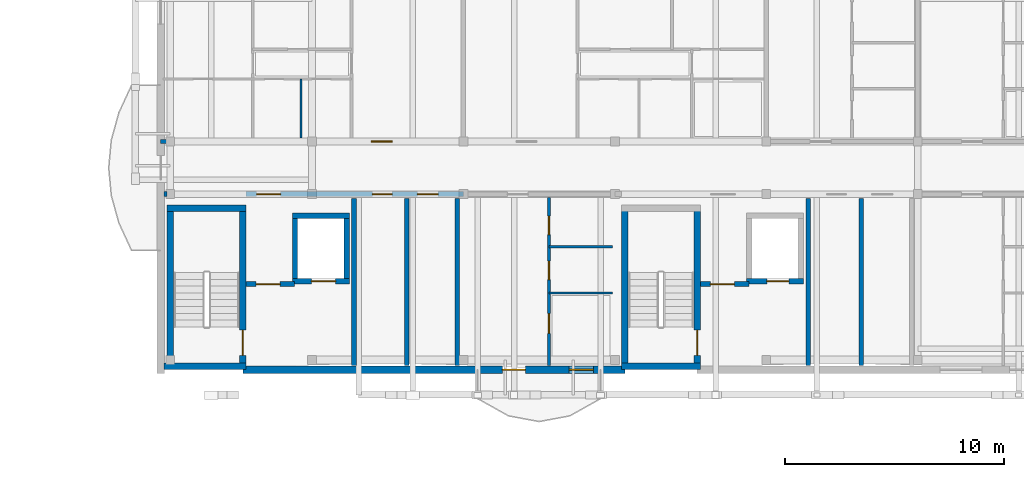
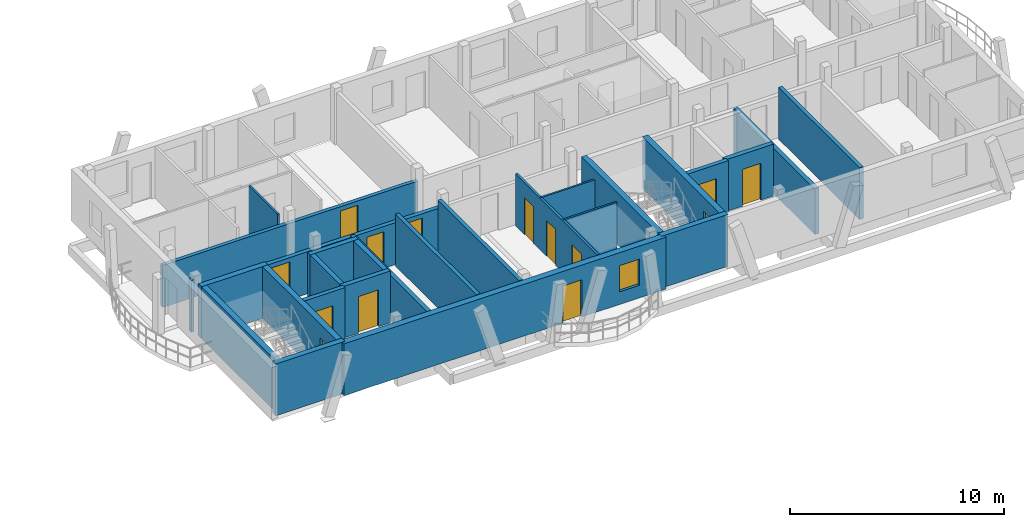
# One storey, part 28 of 41: 27 walls, 14 doors, 1 window, 15 openings.
"""IFC4 building model written with IfcOpenShell, lengths in metres."""

from ifc_helpers import new_model, si_unit, direction, frame, frame_2d, origin, origin_with_axes, place, context, subcontext, project, spatial, rectangle, extrude, material, layer, layer_set, type_object, element, fill, save


model = new_model("IFC4")

# Units and contexts
model_context = context("Model", 3, precision=1e-05, world=origin(), true_north=direction((0.0, 1.0)))
body_context = subcontext(model_context, "Body", "Model", "MODEL_VIEW")
ifc_project = project(units=[si_unit("LENGTHUNIT", "METRE"), si_unit("AREAUNIT", "SQUARE_METRE"), si_unit("VOLUMEUNIT", "CUBIC_METRE"), si_unit("PLANEANGLEUNIT", "RADIAN"), si_unit("MASSUNIT", "GRAM", prefix="KILO")], contexts=[model_context])

# Site, building, storey
site_placement = place(None, origin())
site = spatial("IfcSite", under=ifc_project, at=site_placement, CompositionType="ELEMENT")
building_placement = place(site_placement, origin())
building = spatial("IfcBuilding", under=site, at=building_placement, Name="Zavelmont Quarter", CompositionType="ELEMENT")
storey_placement = place(building_placement, frame((0.0, 0.0, 27.199951171875)))
storey = spatial("IfcBuildingStorey", under=building, at=storey_placement, Name="L08", CompositionType="ELEMENT", Elevation=27.199951171875)

# Wall, openings, door, window
ifc_material_1 = material(Name="Natural Belgian limestone", Category="masonry")
ifc_layer_1 = layer(ifc_material_1, 0.340087890625)
ifc_layer_set_1 = layer_set([ifc_layer_1], Name="Natural Belgian limestone")
wall_type_1 = type_object("IfcWallType", Name="EW03", PredefinedType="STANDARD", material=ifc_layer_set_1)
wall_1_placement = place(storey_placement, frame((130.35009765625, 97.60009765625, 0.0), z_axis=(0.0, 0.0, 1.0), x_axis=(1.0, 0.0, 0.0)))
wall_1 = element("IfcWall", 1, at=wall_1_placement, inside=storey, type_object=wall_type_1, Name="L08 exterior limestone wall EW03", PredefinedType="STANDARD", context=body_context, shape_type="SweptSolid", body=[
    extrude(rectangle(XDim=17.39990234375, YDim=0.340087890625, at=frame_2d((8.699951171875, 0.0))), origin(), (0.0, 0.0, 1.0), 2.9599609375),
])
opening_1_placement = place(wall_1_placement, frame((11.820068359375, 0.0, 0.0)))
opening_1 = element("IfcOpeningElement", 2, at=opening_1_placement, cuts=wall_1, Name="Opening DR04A", PredefinedType="OPENING", context=body_context, shape_type="SweptSolid", body=[
    extrude(rectangle(XDim=1.050048828125, YDim=2.1201171875, at=frame_2d((0.52490234375, 1.06005859375))), frame((0.0, 0.18212890625, 0.0), z_axis=(0.0, -1.0, 0.0), x_axis=(1.0, 0.0, 0.0)), (0.0, 0.0, 1.0), 0.364013671875),
])
opening_2_placement = place(wall_1_placement, frame((14.8701171875, 0.0, 0.719970703125)))
opening_2 = element("IfcOpeningElement", 3, at=opening_2_placement, cuts=wall_1, Name="Opening WN09", PredefinedType="OPENING", context=body_context, shape_type="SweptSolid", body=[
    extrude(rectangle(XDim=1.10009765625, YDim=1.5, at=frame_2d((0.550048828125, 0.75))), frame((0.0, 0.18212890625, 0.0), z_axis=(0.0, -1.0, 0.0), x_axis=(1.0, 0.0, 0.0)), (0.0, 0.0, 1.0), 0.364013671875),
])
ifc_material_2 = material(Name="Thermally broken aluminium and double safety glass", Category="aluminium")
door_type_1 = type_object("IfcDoorType", Name="DR04A", OperationType="NOTDEFINED", PredefinedType="DOOR", material=ifc_material_2)
door_1_placement = place(opening_1_placement, origin_with_axes())
door_1 = element("IfcDoor", 4, at=door_1_placement, inside=storey, type_object=door_type_1, Name="Block C L08 glazed balcony door", OperationType="SINGLE_SWING_RIGHT", OverallHeight=2.1201171875, OverallWidth=1.050048828125, PredefinedType="DOOR", context=body_context, shape_type="SweptSolid", body=[
    extrude(rectangle(XDim=1.050048828125, YDim=2.1201171875, at=frame_2d((0.52490234375, 1.06005859375))), frame((0.0, 0.02490234375, 0.0), z_axis=(0.0, -1.0, 0.0), x_axis=(1.0, 0.0, 0.0)), (0.0, 0.0, 1.0), 0.050048828125),
])
fill(opening_1, door_1)
ifc_material_3 = material(Name="Double low-E insulated glazing in thermally broken aluminium frame", Category="aluminium")
window_type = type_object("IfcWindowType", Name="WN09", PartitioningType="SINGLE_PANEL", PredefinedType="WINDOW", material=ifc_material_3)
window_placement = place(opening_2_placement, origin_with_axes())
window = element("IfcWindow", 5, at=window_placement, inside=storey, type_object=window_type, Name="L08 window WN09", OverallHeight=1.5, OverallWidth=1.10009765625, PartitioningType="SINGLE_PANEL", PredefinedType="WINDOW", context=body_context, shape_type="SweptSolid", body=[
    extrude(rectangle(XDim=1.10009765625, YDim=1.5, at=frame_2d((0.550048828125, 0.75))), frame((0.0, 0.030029296875, 0.0), z_axis=(0.0, -1.0, 0.0), x_axis=(1.0, 0.0, 0.0)), (0.0, 0.0, 1.0), 0.06005859375),
])
fill(opening_2, window)

# Walls
ifc_material_4 = material(Name="Calcium-silicate blockwork and acoustic plaster", Category="masonry")
ifc_layer_2 = layer(ifc_material_4, 0.199951171875)
ifc_layer_set_2 = layer_set([ifc_layer_2], Name="Calcium-silicate blockwork and acoustic plaster")
wall_type_2 = type_object("IfcWallType", Name="IW01", PredefinedType="PARTITIONING", material=ifc_layer_set_2)
for number, where, z_axis, x_axis, name in (
    (6, (137.824951171875, 97.800048828125, 0.0), (0.0, 0.0, 1.0), (0.0, 1.0, 0.0), "L08 Service riser divider wall IW01"),
    (7, (140.1201171875, 97.800048828125, 0.0), (0.0, 0.0, 1.0), (0.0, 1.0, 0.0), "L08 Core service end wall IW01"),
    (8, (158.52490234375, 97.800048828125, 0.0), (0.0, 0.0, 1.0), (0.0, 1.0, 0.0), "L08 Service riser divider wall IW01"),
):
    element("IfcWall", number, at=place(storey_placement, frame(where, z_axis=z_axis, x_axis=x_axis)), inside=storey, type_object=wall_type_2, Name=name, PredefinedType="PARTITIONING", context=body_context, shape_type="SweptSolid", body=[
        extrude(rectangle(XDim=7.599853515625, YDim=0.199951171875, at=frame_2d((3.7998046875, 0.0))), origin(), (0.0, 0.0, 1.0), 2.9599609375),
    ])

# Wall, opening, door
wall_2_placement = place(storey_placement, frame((126.60009765625, 108.0, 0.0), z_axis=(0.0, 0.0, 1.0), x_axis=(1.0, 0.0, 0.0)))
wall_2 = element("IfcWall", 9, at=wall_2_placement, inside=storey, type_object=wall_type_2, Name="L08 Corridor compartment wall IW01", PredefinedType="PARTITIONING", context=body_context, shape_type="SweptSolid", body=[
    extrude(rectangle(XDim=13.7998046875, YDim=0.199951171875, at=frame_2d((6.89990234375, 0.0))), origin(), (0.0, 0.0, 1.0), 2.400146484375),
])
opening_3_placement = place(wall_2_placement, frame((9.60009765625, 0.0, 0.0)))
opening_3 = element("IfcOpeningElement", 10, at=opening_3_placement, cuts=wall_2, Name="Opening DR02", PredefinedType="OPENING", context=body_context, shape_type="SweptSolid", body=[
    extrude(rectangle(XDim=0.949951171875, YDim=2.14990234375, at=frame_2d((0.47509765625, 1.074951171875))), frame((0.0, 0.11181640625, 0.0), z_axis=(0.0, -1.0, 0.0), x_axis=(1.0, 0.0, 0.0)), (0.0, 0.0, 1.0), 0.223876953125),
])
ifc_material_5 = material(Name="Solid-core oak fire leaf in steel frame", Category="steel")
door_type_2 = type_object("IfcDoorType", Name="DR02", OperationType="NOTDEFINED", PredefinedType="DOOR", material=ifc_material_5)
door_2_placement = place(opening_3_placement, origin_with_axes())
door_2 = element("IfcDoor", 11, at=door_2_placement, inside=storey, type_object=door_type_2, Name="L08 door DR02", OperationType="SINGLE_SWING_LEFT", OverallHeight=2.14990234375, OverallWidth=0.949951171875, PredefinedType="DOOR", context=body_context, shape_type="SweptSolid", body=[
    extrude(rectangle(XDim=0.949951171875, YDim=2.14990234375, at=frame_2d((0.47509765625, 1.074951171875))), frame((0.0, 0.02490234375, 0.0), z_axis=(0.0, -1.0, 0.0), x_axis=(1.0, 0.0, 0.0)), (0.0, 0.0, 1.0), 0.050048828125),
])
fill(opening_3, door_2)

# Wall
ifc_material_6 = material(Name="Reinforced masonry fire compartment wall", Category="masonry")
ifc_layer_3 = layer(ifc_material_6, 0.22509765625)
ifc_layer_set_3 = layer_set([ifc_layer_3], Name="Reinforced masonry fire compartment wall")
wall_type_3 = type_object("IfcWallType", Name="IW02", PredefinedType="PARTITIONING", material=ifc_layer_set_3)
wall_3_placement = place(storey_placement, frame((135.409912109375, 97.800048828125, 0.0), z_axis=(0.0, 0.0, 1.0), x_axis=(0.0, 1.0, 0.0)))
element("IfcWall", 12, at=wall_3_placement, inside=storey, type_object=wall_type_3, Name="L08 Firefighting lobby enclosure wall IW02", PredefinedType="PARTITIONING", context=body_context, shape_type="SweptSolid", body=[
    extrude(rectangle(XDim=7.599853515625, YDim=0.22509765625, at=frame_2d((3.7998046875, 0.0))), origin(), (0.0, 0.0, 1.0), 2.590087890625),
])

# Wall, opening, door
wall_4_placement = place(storey_placement, frame((130.5, 101.5, 0.0), z_axis=(0.0, 0.0, 1.0), x_axis=(1.0, 0.0, 0.0)))
wall_4 = element("IfcWall", 13, at=wall_4_placement, inside=storey, type_object=wall_type_3, Name="L08 Firefighting lobby threshold wall IW02", PredefinedType="PARTITIONING", context=body_context, shape_type="SweptSolid", body=[
    extrude(rectangle(XDim=2.199951171875, YDim=0.22509765625, at=frame_2d((1.10009765625, 0.0))), origin(), (0.0, 0.0, 1.0), 2.9599609375),
])
opening_4_placement = place(wall_4_placement, frame((0.449951171875, 0.0, 0.0)))
opening_4 = element("IfcOpeningElement", 14, at=opening_4_placement, cuts=wall_4, Name="Opening DR10", PredefinedType="OPENING", context=body_context, shape_type="SweptSolid", body=[
    extrude(rectangle(XDim=1.10009765625, YDim=2.14990234375, at=frame_2d((0.550048828125, 1.074951171875))), frame((0.0, 0.12451171875, 0.0), z_axis=(0.0, -1.0, 0.0), x_axis=(1.0, 0.0, 0.0)), (0.0, 0.0, 1.0), 0.2490234375),
])
ifc_material_7 = material(Name="Painted steel lobby fire door", Category="steel")
door_type_3 = type_object("IfcDoorType", Name="DR10", OperationType="NOTDEFINED", PredefinedType="DOOR", material=ifc_material_7)
door_3_placement = place(opening_4_placement, frame((1.10009765625, 0.0, 0.0), z_axis=(0.0, 0.0, 1.0), x_axis=(-1.0, 0.0, 0.0)))
door_3 = element("IfcDoor", 15, at=door_3_placement, inside=storey, type_object=door_type_3, Name="Firefighting lobby fire door", OperationType="SINGLE_SWING_RIGHT", OverallHeight=2.14990234375, OverallWidth=1.10009765625, PredefinedType="DOOR", context=body_context, shape_type="SweptSolid", body=[
    extrude(rectangle(XDim=1.10009765625, YDim=2.14990234375, at=frame_2d((0.550048828125, 1.074951171875))), frame((0.0, 0.02490234375, 0.0), z_axis=(0.0, -1.0, 0.0), x_axis=(1.0, 0.0, 0.0)), (0.0, 0.0, 1.0), 0.050048828125),
])
fill(opening_4, door_3)

# Wall
wall_5_placement = place(storey_placement, frame((126.75, 105.60009765625, 0.0), z_axis=(0.0, 0.0, 1.0), x_axis=(1.0, 0.0, 0.0)))
element("IfcWall", 16, at=wall_5_placement, inside=storey, type_object=wall_type_3, Name="L08 Core corridor wall IW02", PredefinedType="PARTITIONING", context=body_context, shape_type="SweptSolid", body=[
    extrude(rectangle(XDim=0.14990234375, YDim=0.22509765625, at=frame_2d((0.074951171875, 0.0))), origin(), (0.0, 0.0, 1.0), 2.9599609375),
])

# Wall, openings, doors
wall_6_placement = place(storey_placement, frame((130.5, 105.60009765625, 0.0), z_axis=(0.0, 0.0, 1.0), x_axis=(1.0, 0.0, 0.0)))
wall_6 = element("IfcWall", 17, at=wall_6_placement, inside=storey, type_object=wall_type_3, Name="L08 Core corridor fire wall IW02", PredefinedType="PARTITIONING", context=body_context, shape_type="SweptSolid", body=[
    extrude(rectangle(XDim=9.89990234375, YDim=0.22509765625, at=frame_2d((4.949951171875, 0.0))), origin(), (0.0, 0.0, 1.0), 2.400146484375),
])
opening_5_placement = place(wall_6_placement, frame((0.47509765625, 0.0, 0.0)))
opening_5 = element("IfcOpeningElement", 18, at=opening_5_placement, cuts=wall_6, Name="Opening DR10", PredefinedType="OPENING", context=body_context, shape_type="SweptSolid", body=[
    extrude(rectangle(XDim=1.10009765625, YDim=2.14990234375, at=frame_2d((0.550048828125, 1.074951171875))), frame((0.0, 0.12451171875, 0.0), z_axis=(0.0, -1.0, 0.0), x_axis=(1.0, 0.0, 0.0)), (0.0, 0.0, 1.0), 0.2490234375),
])
opening_6_placement = place(wall_6_placement, frame((5.75, 0.0, 0.0)))
opening_6 = element("IfcOpeningElement", 19, at=opening_6_placement, cuts=wall_6, Name="Opening DR11", PredefinedType="OPENING", context=body_context, shape_type="SweptSolid", body=[
    extrude(rectangle(XDim=0.89990234375, YDim=2.10009765625, at=frame_2d((0.449951171875, 1.050048828125))), frame((0.0, 0.12451171875, 0.0), z_axis=(0.0, -1.0, 0.0), x_axis=(1.0, 0.0, 0.0)), (0.0, 0.0, 1.0), 0.2490234375),
])
opening_7_placement = place(wall_6_placement, frame((7.800048828125, 0.0, 0.0)))
opening_7 = element("IfcOpeningElement", 20, at=opening_7_placement, cuts=wall_6, Name="Opening DR02", PredefinedType="OPENING", context=body_context, shape_type="SweptSolid", body=[
    extrude(rectangle(XDim=0.949951171875, YDim=2.14990234375, at=frame_2d((0.47509765625, 1.074951171875))), frame((0.0, 0.12451171875, 0.0), z_axis=(0.0, -1.0, 0.0), x_axis=(1.0, 0.0, 0.0)), (0.0, 0.0, 1.0), 0.2490234375),
])
door_4_placement = place(opening_7_placement, origin_with_axes())
door_4 = element("IfcDoor", 21, at=door_4_placement, inside=storey, type_object=door_type_2, Name="Auxiliary store corridor door", OperationType="SINGLE_SWING_RIGHT", OverallHeight=2.14990234375, OverallWidth=0.949951171875, PredefinedType="DOOR", context=body_context, shape_type="SweptSolid", body=[
    extrude(rectangle(XDim=0.949951171875, YDim=2.14990234375, at=frame_2d((0.47509765625, 1.074951171875))), frame((0.0, 0.02490234375, 0.0), z_axis=(0.0, -1.0, 0.0), x_axis=(1.0, 0.0, 0.0)), (0.0, 0.0, 1.0), 0.050048828125),
])
fill(opening_7, door_4)
door_5_placement = place(opening_5_placement, frame((1.10009765625, 0.0, 0.0), z_axis=(0.0, 0.0, 1.0), x_axis=(-1.0, 0.0, 0.0)))
door_5 = element("IfcDoor", 22, at=door_5_placement, inside=storey, type_object=door_type_3, Name="Core vestibule fire door", OperationType="SINGLE_SWING_LEFT", OverallHeight=2.14990234375, OverallWidth=1.10009765625, PredefinedType="DOOR", context=body_context, shape_type="SweptSolid", body=[
    extrude(rectangle(XDim=1.10009765625, YDim=2.14990234375, at=frame_2d((0.550048828125, 1.074951171875))), frame((0.0, 0.02490234375, 0.0), z_axis=(0.0, -1.0, 0.0), x_axis=(1.0, 0.0, 0.0)), (0.0, 0.0, 1.0), 0.050048828125),
])
fill(opening_5, door_5)
ifc_material_8 = material(Name="Painted steel service-riser fire door", Category="steel")
door_type_4 = type_object("IfcDoorType", Name="DR11", OperationType="NOTDEFINED", PredefinedType="DOOR", material=ifc_material_8)
door_6_placement = place(opening_6_placement, origin_with_axes())
door_6 = element("IfcDoor", 23, at=door_6_placement, inside=storey, type_object=door_type_4, Name="Service riser fire door", OperationType="SINGLE_SWING_LEFT", OverallHeight=2.10009765625, OverallWidth=0.89990234375, PredefinedType="DOOR", context=body_context, shape_type="SweptSolid", body=[
    extrude(rectangle(XDim=0.89990234375, YDim=2.10009765625, at=frame_2d((0.449951171875, 1.050048828125))), frame((0.0, 0.02490234375, 0.0), z_axis=(0.0, -1.0, 0.0), x_axis=(1.0, 0.0, 0.0)), (0.0, 0.0, 1.0), 0.050048828125),
])
fill(opening_6, door_6)

# Wall
wall_7_placement = place(storey_placement, frame((156.110107421875, 97.800048828125, 0.0), z_axis=(0.0, 0.0, 1.0), x_axis=(0.0, 1.0, 0.0)))
element("IfcWall", 24, at=wall_7_placement, inside=storey, type_object=wall_type_3, Name="L08 Firefighting lobby enclosure wall IW02", PredefinedType="PARTITIONING", context=body_context, shape_type="SweptSolid", body=[
    extrude(rectangle(XDim=7.599853515625, YDim=0.22509765625, at=frame_2d((3.7998046875, 0.0))), origin(), (0.0, 0.0, 1.0), 2.590087890625),
])

# Wall, opening, door
wall_8_placement = place(storey_placement, frame((151.199951171875, 101.5, 0.0), z_axis=(0.0, 0.0, 1.0), x_axis=(1.0, 0.0, 0.0)))
wall_8 = element("IfcWall", 25, at=wall_8_placement, inside=storey, type_object=wall_type_3, Name="L08 Firefighting lobby threshold wall IW02", PredefinedType="PARTITIONING", context=body_context, shape_type="SweptSolid", body=[
    extrude(rectangle(XDim=2.199951171875, YDim=0.22509765625, at=frame_2d((1.10009765625, 0.0))), origin(), (0.0, 0.0, 1.0), 2.9599609375),
])
opening_8_placement = place(wall_8_placement, frame((0.449951171875, 0.0, 0.0)))
opening_8 = element("IfcOpeningElement", 26, at=opening_8_placement, cuts=wall_8, Name="Opening DR10", PredefinedType="OPENING", context=body_context, shape_type="SweptSolid", body=[
    extrude(rectangle(XDim=1.10009765625, YDim=2.14990234375, at=frame_2d((0.550048828125, 1.074951171875))), frame((0.0, 0.12451171875, 0.0), z_axis=(0.0, -1.0, 0.0), x_axis=(1.0, 0.0, 0.0)), (0.0, 0.0, 1.0), 0.2490234375),
])
door_7_placement = place(opening_8_placement, frame((1.10009765625, 0.0, 0.0), z_axis=(0.0, 0.0, 1.0), x_axis=(-1.0, 0.0, 0.0)))
door_7 = element("IfcDoor", 27, at=door_7_placement, inside=storey, type_object=door_type_3, Name="Firefighting lobby fire door", OperationType="SINGLE_SWING_LEFT", OverallHeight=2.14990234375, OverallWidth=1.10009765625, PredefinedType="DOOR", context=body_context, shape_type="SweptSolid", body=[
    extrude(rectangle(XDim=1.10009765625, YDim=2.14990234375, at=frame_2d((0.550048828125, 1.074951171875))), frame((0.0, 0.02490234375, 0.0), z_axis=(0.0, -1.0, 0.0), x_axis=(1.0, 0.0, 0.0)), (0.0, 0.0, 1.0), 0.050048828125),
])
fill(opening_8, door_7)

# Wall, openings, doors
ifc_material_9 = material(Name="Double gypsum board on acoustic steel stud", Category="steel")
ifc_layer_4 = layer(ifc_material_9, 0.125)
ifc_layer_set_4 = layer_set([ifc_layer_4], Name="Double gypsum board on acoustic steel stud")
wall_type_4 = type_object("IfcWallType", Name="IW03", PredefinedType="PARTITIONING", material=ifc_layer_set_4)
wall_9_placement = place(storey_placement, frame((144.300048828125, 105.449951171875, 0.0), z_axis=(0.0, 0.0, 1.0), x_axis=(0.0, -1.0, 0.0)))
wall_9 = element("IfcWall", 28, at=wall_9_placement, inside=storey, type_object=wall_type_4, Name="L08 Partition IW03", PredefinedType="PARTITIONING", context=body_context, shape_type="SweptSolid", body=[
    extrude(rectangle(XDim=7.64990234375, YDim=0.125, at=frame_2d((3.824951171875, 0.0))), origin(), (0.0, 0.0, 1.0), 2.9599609375),
])
opening_9_placement = place(wall_9_placement, frame((0.85009765625, 0.0, 0.0)))
opening_9 = element("IfcOpeningElement", 29, at=opening_9_placement, cuts=wall_9, Name="Opening DR16", PredefinedType="OPENING", context=body_context, shape_type="SweptSolid", body=[
    extrude(rectangle(XDim=0.85009765625, YDim=2.10009765625, at=frame_2d((0.425048828125, 1.050048828125))), frame((0.0, 0.074462890625, 0.0), z_axis=(0.0, -1.0, 0.0), x_axis=(1.0, 0.0, 0.0)), (0.0, 0.0, 1.0), 0.14892578125),
])
opening_10_placement = place(wall_9_placement, frame((2.89990234375, 0.0, 0.0)))
opening_10 = element("IfcOpeningElement", 30, at=opening_10_placement, cuts=wall_9, Name="Opening DR06", PredefinedType="OPENING", context=body_context, shape_type="SweptSolid", body=[
    extrude(rectangle(XDim=0.85009765625, YDim=2.050048828125, at=frame_2d((0.425048828125, 1.02490234375))), frame((0.0, 0.074462890625, 0.0), z_axis=(0.0, -1.0, 0.0), x_axis=(1.0, 0.0, 0.0)), (0.0, 0.0, 1.0), 0.14892578125),
])
opening_11_placement = place(wall_9_placement, frame((5.300048828125, 0.0, 0.0)))
opening_11 = element("IfcOpeningElement", 31, at=opening_11_placement, cuts=wall_9, Name="Opening DR05", PredefinedType="OPENING", context=body_context, shape_type="SweptSolid", body=[
    extrude(rectangle(XDim=0.89990234375, YDim=2.10009765625, at=frame_2d((0.449951171875, 1.050048828125))), frame((0.0, 0.074462890625, 0.0), z_axis=(0.0, -1.0, 0.0), x_axis=(1.0, 0.0, 0.0)), (0.0, 0.0, 1.0), 0.14892578125),
])
ifc_material_10 = material(Name="Engineered oak flush interior door")
door_type_5 = type_object("IfcDoorType", Name="DR05", OperationType="NOTDEFINED", PredefinedType="DOOR", material=ifc_material_10)
door_8_placement = place(opening_11_placement, frame((0.89990234375, 0.0, 0.0), z_axis=(0.0, 0.0, 1.0), x_axis=(-1.0, 0.0, 0.0)))
door_8 = element("IfcDoor", 32, at=door_8_placement, inside=storey, type_object=door_type_5, Name="L08 door DR05", OperationType="SINGLE_SWING_RIGHT", OverallHeight=2.10009765625, OverallWidth=0.89990234375, PredefinedType="DOOR", context=body_context, shape_type="SweptSolid", body=[
    extrude(rectangle(XDim=0.89990234375, YDim=2.10009765625, at=frame_2d((0.449951171875, 1.050048828125))), frame((0.0, 0.02490234375, 0.0), z_axis=(0.0, -1.0, 0.0), x_axis=(1.0, 0.0, 0.0)), (0.0, 0.0, 1.0), 0.050048828125),
])
fill(opening_11, door_8)
ifc_material_11 = material(Name="Moisture-resistant painted wet-room door")
door_type_6 = type_object("IfcDoorType", Name="DR06", OperationType="NOTDEFINED", PredefinedType="DOOR", material=ifc_material_11)
door_9_placement = place(opening_10_placement, origin_with_axes())
door_9 = element("IfcDoor", 33, at=door_9_placement, inside=storey, type_object=door_type_6, Name="L08 door DR06", OperationType="SINGLE_SWING_LEFT", OverallHeight=2.050048828125, OverallWidth=0.85009765625, PredefinedType="DOOR", context=body_context, shape_type="SweptSolid", body=[
    extrude(rectangle(XDim=0.85009765625, YDim=2.050048828125, at=frame_2d((0.425048828125, 1.02490234375))), frame((0.0, 0.02490234375, 0.0), z_axis=(0.0, -1.0, 0.0), x_axis=(1.0, 0.0, 0.0)), (0.0, 0.0, 1.0), 0.050048828125),
])
fill(opening_10, door_9)
door_type_7 = type_object("IfcDoorType", Name="DR16", OperationType="NOTDEFINED", PredefinedType="DOOR", material=ifc_material_10)
door_10_placement = place(opening_9_placement, frame((0.85009765625, 0.0, 0.0), z_axis=(0.0, 0.0, 1.0), x_axis=(-1.0, 0.0, 0.0)))
door_10 = element("IfcDoor", 34, at=door_10_placement, inside=storey, type_object=door_type_7, Name="L08 door DR16", OperationType="SINGLE_SWING_RIGHT", OverallHeight=2.10009765625, OverallWidth=0.85009765625, PredefinedType="DOOR", context=body_context, shape_type="SweptSolid", body=[
    extrude(rectangle(XDim=0.85009765625, YDim=2.10009765625, at=frame_2d((0.425048828125, 1.050048828125))), frame((0.0, 0.02490234375, 0.0), z_axis=(0.0, -1.0, 0.0), x_axis=(1.0, 0.0, 0.0)), (0.0, 0.0, 1.0), 0.050048828125),
])
fill(opening_9, door_10)

# Walls
ifc_material_12 = material(Name="Moisture-resistant gypsum board on steel stud", Category="steel")
ifc_layer_5 = layer(ifc_material_12, 0.10009765625)
ifc_layer_set_5 = layer_set([ifc_layer_5], Name="Moisture-resistant gypsum board on steel stud")
wall_type_5 = type_object("IfcWallType", Name="IW04", PredefinedType="PARTITIONING", material=ifc_layer_set_5)
wall_10_placement = place(storey_placement, frame((133.0, 108.14990234375, 0.0), z_axis=(0.0, 0.0, 1.0), x_axis=(0.0, 1.0, 0.0)))
element("IfcWall", 35, at=wall_10_placement, inside=storey, type_object=wall_type_5, Name="L08 Partition IW04", PredefinedType="PARTITIONING", context=body_context, shape_type="SweptSolid", body=[
    extrude(rectangle(XDim=2.7001953125, YDim=0.10009765625, at=frame_2d((1.35009765625, 0.0))), origin(), (0.0, 0.0, 1.0), 2.9599609375),
])
for number, where, z_axis, x_axis, name in (
    (36, (144.300048828125, 103.199951171875, 0.0), (0.0, 0.0, 1.0), (1.0, 0.0, 0.0), "L08 Partition IW04"),
    (37, (144.300048828125, 101.10009765625, 0.0), (0.0, 0.0, 1.0), (1.0, 0.0, 0.0), "L08 Partition IW04"),
):
    element("IfcWall", number, at=place(storey_placement, frame(where, z_axis=z_axis, x_axis=x_axis)), inside=storey, type_object=wall_type_5, Name=name, PredefinedType="PARTITIONING", context=body_context, shape_type="SweptSolid", body=[
        extrude(rectangle(XDim=2.89990234375, YDim=0.10009765625, at=frame_2d((1.449951171875, 0.0))), origin(), (0.0, 0.0, 1.0), 2.9599609375),
    ])
ifc_material_13 = material(Name="Concrete C40/50", Category="concrete")
ifc_layer_6 = layer(ifc_material_13, 0.300048828125)
ifc_layer_set_6 = layer_set([ifc_layer_6], Name="Concrete C40/50")
wall_type_6 = type_object("IfcWallType", Name="SW01", PredefinedType="SHEAR", material=ifc_layer_set_6)
wall_11_placement = place(storey_placement, frame((126.89990234375, 104.949951171875, 0.0), z_axis=(0.0, 0.0, 1.0), x_axis=(1.0, 0.0, 0.0)))
element("IfcWall", 38, at=wall_11_placement, inside=storey, type_object=wall_type_6, Name="L08 ST05 corridor shear wall SW01", PredefinedType="SHEAR", context=body_context, shape_type="SweptSolid", body=[
    extrude(rectangle(XDim=3.60009765625, YDim=0.300048828125, at=frame_2d((1.800048828125, 0.0))), origin(), (0.0, 0.0, 1.0), 2.9599609375),
])
wall_12_placement = place(storey_placement, frame((127.050048828125, 97.60009765625, 0.0), z_axis=(0.0, 0.0, 1.0), x_axis=(0.0, 1.0, 0.0)))
element("IfcWall", 39, at=wall_12_placement, inside=storey, type_object=wall_type_6, Name="L08 ST05 west shear wall SW01", PredefinedType="SHEAR", context=body_context, shape_type="SweptSolid", body=[
    extrude(rectangle(XDim=7.5, YDim=0.300048828125, at=frame_2d((3.75, 0.0))), origin(), (0.0, 0.0, 1.0), 2.9599609375),
])

# Wall, opening, door
wall_13_placement = place(storey_placement, frame((130.35009765625, 97.60009765625, 0.0), z_axis=(0.0, 0.0, 1.0), x_axis=(0.0, 1.0, 0.0)))
wall_13 = element("IfcWall", 40, at=wall_13_placement, inside=storey, type_object=wall_type_6, Name="L08 ST05 lobby shear wall SW01", PredefinedType="SHEAR", context=body_context, shape_type="SweptSolid", body=[
    extrude(rectangle(XDim=7.5, YDim=0.300048828125, at=frame_2d((3.75, 0.0))), origin(), (0.0, 0.0, 1.0), 2.9599609375),
])
opening_12_placement = place(wall_13_placement, frame((0.64990234375, 0.0, 0.0)))
opening_12 = element("IfcOpeningElement", 41, at=opening_12_placement, cuts=wall_13, Name="Opening DR09", PredefinedType="OPENING", context=body_context, shape_type="SweptSolid", body=[
    extrude(rectangle(XDim=1.14990234375, YDim=2.14990234375, at=frame_2d((0.574951171875, 1.074951171875))), frame((0.0, 0.162109375, 0.0), z_axis=(0.0, -1.0, 0.0), x_axis=(1.0, 0.0, 0.0)), (0.0, 0.0, 1.0), 0.323974609375),
])
ifc_material_14 = material(Name="Painted steel stair-core fire door", Category="steel")
door_type_8 = type_object("IfcDoorType", Name="DR09", OperationType="NOTDEFINED", PredefinedType="DOOR", material=ifc_material_14)
door_11_placement = place(opening_12_placement, origin_with_axes())
door_11 = element("IfcDoor", 42, at=door_11_placement, inside=storey, type_object=door_type_8, Name="ST05 protected stair door", OperationType="SINGLE_SWING_RIGHT", OverallHeight=2.14990234375, OverallWidth=1.14990234375, PredefinedType="DOOR", context=body_context, shape_type="SweptSolid", body=[
    extrude(rectangle(XDim=1.14990234375, YDim=2.14990234375, at=frame_2d((0.574951171875, 1.074951171875))), frame((0.0, 0.02490234375, 0.0), z_axis=(0.0, -1.0, 0.0), x_axis=(1.0, 0.0, 0.0)), (0.0, 0.0, 1.0), 0.050048828125),
])
fill(opening_12, door_11)

# Wall
wall_14_placement = place(storey_placement, frame((147.75, 97.60009765625, 0.0), z_axis=(0.0, 0.0, 1.0), x_axis=(0.0, 1.0, 0.0)))
element("IfcWall", 43, at=wall_14_placement, inside=storey, type_object=wall_type_6, Name="L08 ST06 west shear wall SW01", PredefinedType="SHEAR", context=body_context, shape_type="SweptSolid", body=[
    extrude(rectangle(XDim=7.5, YDim=0.300048828125, at=frame_2d((3.75, 0.0))), origin(), (0.0, 0.0, 1.0), 2.9599609375),
])

# Wall, opening, door
wall_15_placement = place(storey_placement, frame((151.050048828125, 97.60009765625, 0.0), z_axis=(0.0, 0.0, 1.0), x_axis=(0.0, 1.0, 0.0)))
wall_15 = element("IfcWall", 44, at=wall_15_placement, inside=storey, type_object=wall_type_6, Name="L08 ST06 lobby shear wall SW01", PredefinedType="SHEAR", context=body_context, shape_type="SweptSolid", body=[
    extrude(rectangle(XDim=7.5, YDim=0.300048828125, at=frame_2d((3.75, 0.0))), origin(), (0.0, 0.0, 1.0), 2.9599609375),
])
opening_13_placement = place(wall_15_placement, frame((0.64990234375, 0.0, 0.0)))
opening_13 = element("IfcOpeningElement", 45, at=opening_13_placement, cuts=wall_15, Name="Opening DR09", PredefinedType="OPENING", context=body_context, shape_type="SweptSolid", body=[
    extrude(rectangle(XDim=1.14990234375, YDim=2.14990234375, at=frame_2d((0.574951171875, 1.074951171875))), frame((0.0, 0.162109375, 0.0), z_axis=(0.0, -1.0, 0.0), x_axis=(1.0, 0.0, 0.0)), (0.0, 0.0, 1.0), 0.323974609375),
])
door_12_placement = place(opening_13_placement, origin_with_axes())
door_12 = element("IfcDoor", 46, at=door_12_placement, inside=storey, type_object=door_type_8, Name="ST06 protected stair door", OperationType="SINGLE_SWING_RIGHT", OverallHeight=2.14990234375, OverallWidth=1.14990234375, PredefinedType="DOOR", context=body_context, shape_type="SweptSolid", body=[
    extrude(rectangle(XDim=1.14990234375, YDim=2.14990234375, at=frame_2d((0.574951171875, 1.074951171875))), frame((0.0, 0.02490234375, 0.0), z_axis=(0.0, -1.0, 0.0), x_axis=(1.0, 0.0, 0.0)), (0.0, 0.0, 1.0), 0.050048828125),
])
fill(opening_13, door_12)

ifc_layer_7 = layer(ifc_material_13, 0.25)
ifc_layer_set_7 = layer_set([ifc_layer_7], Name="Concrete C40/50")
wall_type_7 = type_object("IfcWallType", Name="SW02", PredefinedType="SHEAR", material=ifc_layer_set_7)
wall_16_placement = place(storey_placement, frame((132.60009765625, 101.625, 0.0), z_axis=(0.0, 0.0, 1.0), x_axis=(1.0, 0.0, 0.0)))
wall_16 = element("IfcWall", 47, at=wall_16_placement, inside=storey, type_object=wall_type_7, Name="L08 Lift FL03 landing shaft wall SW02", PredefinedType="SHEAR", context=body_context, shape_type="SweptSolid", body=[
    extrude(rectangle(XDim=2.599853515625, YDim=0.25, at=frame_2d((1.2998046875, 0.0))), origin(), (0.0, 0.0, 1.0), 2.9599609375),
])
opening_14_placement = place(wall_16_placement, frame((0.875, 0.0, 0.0)))
opening_14 = element("IfcOpeningElement", 48, at=opening_14_placement, cuts=wall_16, Name="Opening LD02", PredefinedType="OPENING", context=body_context, shape_type="SweptSolid", body=[
    extrude(rectangle(XDim=1.10009765625, YDim=2.10009765625, at=frame_2d((0.550048828125, 1.050048828125))), frame((0.0, 0.136962890625, 0.0), z_axis=(0.0, -1.0, 0.0), x_axis=(1.0, 0.0, 0.0)), (0.0, 0.0, 1.0), 0.27392578125),
])
ifc_material_15 = material(Name="Brushed stainless-steel firefighting lift landing door", Category="steel")
door_type_9 = type_object("IfcDoorType", Name="LD02", OperationType="SLIDING_TO_LEFT", PredefinedType="DOOR", material=ifc_material_15)
door_13_placement = place(opening_14_placement, origin_with_axes())
door_13 = element("IfcDoor", 49, at=door_13_placement, inside=storey, type_object=door_type_9, Name="Lift FL03 sliding landing door", OperationType="SLIDING_TO_LEFT", OverallHeight=2.10009765625, OverallWidth=1.10009765625, PredefinedType="DOOR", context=body_context, shape_type="SweptSolid", body=[
    extrude(rectangle(XDim=1.10009765625, YDim=2.10009765625, at=frame_2d((0.550048828125, 1.050048828125))), frame((0.0, 0.02490234375, 0.0), z_axis=(0.0, -1.0, 0.0), x_axis=(1.0, 0.0, 0.0)), (0.0, 0.0, 1.0), 0.050048828125),
])
fill(opening_14, door_13)

# Walls
wall_17_placement = place(storey_placement, frame((132.60009765625, 104.625, 0.0), z_axis=(0.0, 0.0, 1.0), x_axis=(1.0, 0.0, 0.0)))
element("IfcWall", 50, at=wall_17_placement, inside=storey, type_object=wall_type_7, Name="L08 Lift FL03 back shaft wall SW02", PredefinedType="SHEAR", context=body_context, shape_type="SweptSolid", body=[
    extrude(rectangle(XDim=2.599853515625, YDim=0.25, at=frame_2d((1.2998046875, 0.0))), origin(), (0.0, 0.0, 1.0), 2.9599609375),
])
for number, where, z_axis, x_axis, name in (
    (51, (132.72509765625, 101.5, 0.0), (0.0, 0.0, 1.0), (0.0, 1.0, 0.0), "L08 Lift FL03 west shaft wall SW02"),
    (52, (135.074951171875, 101.5, 0.0), (0.0, 0.0, 1.0), (0.0, 1.0, 0.0), "L08 Lift FL03 east shaft wall SW02"),
):
    element("IfcWall", number, at=place(storey_placement, frame(where, z_axis=z_axis, x_axis=x_axis)), inside=storey, type_object=wall_type_7, Name=name, PredefinedType="SHEAR", context=body_context, shape_type="SweptSolid", body=[
        extrude(rectangle(XDim=3.25, YDim=0.25, at=frame_2d((1.625, 0.0))), origin(), (0.0, 0.0, 1.0), 2.9599609375),
    ])

# Wall, opening, door
wall_18_placement = place(storey_placement, frame((153.300048828125, 101.625, 0.0), z_axis=(0.0, 0.0, 1.0), x_axis=(1.0, 0.0, 0.0)))
wall_18 = element("IfcWall", 53, at=wall_18_placement, inside=storey, type_object=wall_type_7, Name="L08 Lift LF06 landing shaft wall SW02", PredefinedType="SHEAR", context=body_context, shape_type="SweptSolid", body=[
    extrude(rectangle(XDim=2.599853515625, YDim=0.25, at=frame_2d((1.2998046875, 0.0))), origin(), (0.0, 0.0, 1.0), 2.9599609375),
])
opening_15_placement = place(wall_18_placement, frame((0.925048828125, 0.0, 0.0)))
opening_15 = element("IfcOpeningElement", 54, at=opening_15_placement, cuts=wall_18, Name="Opening LD01", PredefinedType="OPENING", context=body_context, shape_type="SweptSolid", body=[
    extrude(rectangle(XDim=1.0, YDim=2.10009765625, at=frame_2d((0.5, 1.050048828125))), frame((0.0, 0.136962890625, 0.0), z_axis=(0.0, -1.0, 0.0), x_axis=(1.0, 0.0, 0.0)), (0.0, 0.0, 1.0), 0.27392578125),
])
ifc_material_16 = material(Name="Brushed stainless-steel automatic sliding landing door", Category="steel")
door_type_10 = type_object("IfcDoorType", Name="LD01", OperationType="SLIDING_TO_LEFT", PredefinedType="DOOR", material=ifc_material_16)
door_14_placement = place(opening_15_placement, origin_with_axes())
door_14 = element("IfcDoor", 55, at=door_14_placement, inside=storey, type_object=door_type_10, Name="Lift LF06 sliding landing door", OperationType="SLIDING_TO_LEFT", OverallHeight=2.10009765625, OverallWidth=1.0, PredefinedType="DOOR", context=body_context, shape_type="SweptSolid", body=[
    extrude(rectangle(XDim=1.0, YDim=2.10009765625, at=frame_2d((0.5, 1.050048828125))), frame((0.0, 0.02490234375, 0.0), z_axis=(0.0, -1.0, 0.0), x_axis=(1.0, 0.0, 0.0)), (0.0, 0.0, 1.0), 0.050048828125),
])
fill(opening_15, door_14)

# Walls
ifc_layer_8 = layer(ifc_material_13, 0.300048828125)
ifc_layer_set_8 = layer_set([ifc_layer_8], Name="Concrete C40/50")
wall_type_8 = type_object("IfcWallType", Name="SW03", PredefinedType="SHEAR", material=ifc_layer_set_8)
wall_19_placement = place(storey_placement, frame((126.75, 97.75, 0.0), z_axis=(0.0, 0.0, 1.0), x_axis=(1.0, 0.0, 0.0)))
element("IfcWall", 56, at=wall_19_placement, inside=storey, type_object=wall_type_8, Name="L08 ST05 outer shear wall SW03", PredefinedType="SHEAR", context=body_context, shape_type="SweptSolid", body=[
    extrude(rectangle(XDim=3.75, YDim=0.300048828125, at=frame_2d((1.875, 0.0))), origin(), (0.0, 0.0, 1.0), 2.9599609375),
])
wall_20_placement = place(storey_placement, frame((147.60009765625, 97.75, 0.0), z_axis=(0.0, 0.0, 1.0), x_axis=(1.0, 0.0, 0.0)))
element("IfcWall", 57, at=wall_20_placement, inside=storey, type_object=wall_type_8, Name="L08 ST06 outer shear wall SW03", PredefinedType="SHEAR", context=body_context, shape_type="SweptSolid", body=[
    extrude(rectangle(XDim=3.599853515625, YDim=0.300048828125, at=frame_2d((1.7998046875, 0.0))), origin(), (0.0, 0.0, 1.0), 2.9599609375),
])

save(model, "model.ifc")
